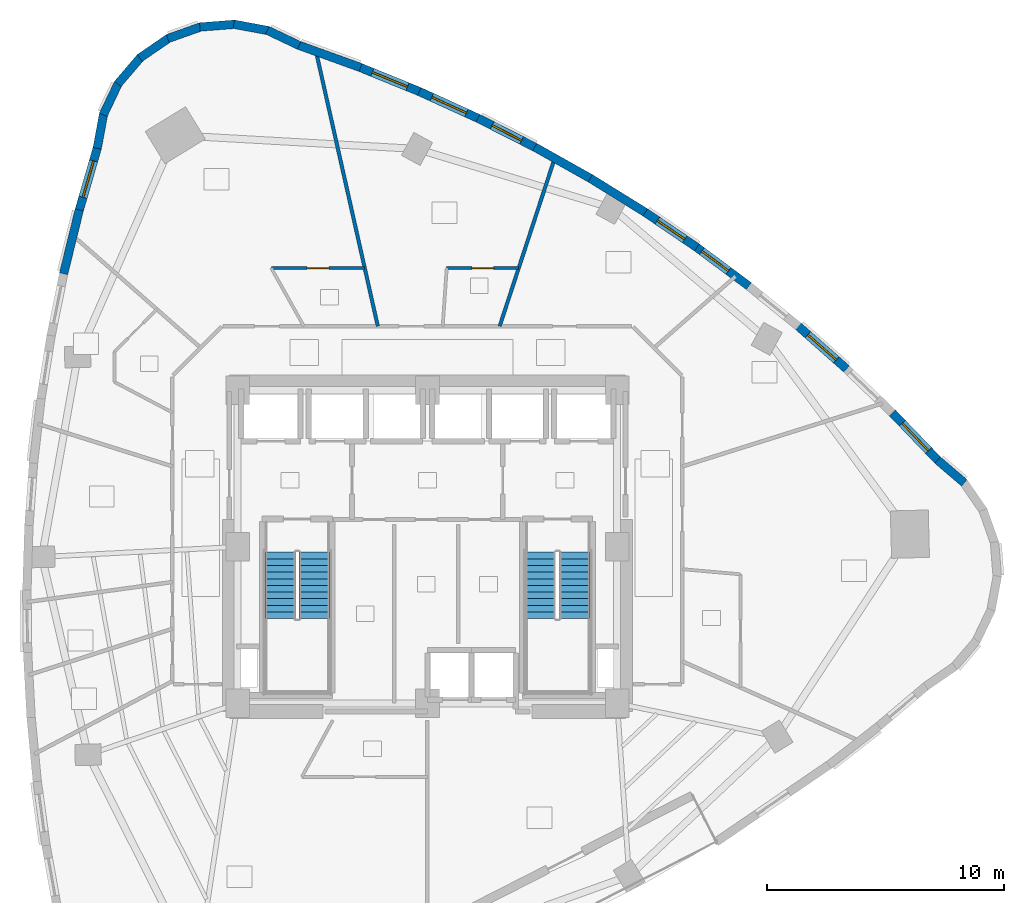
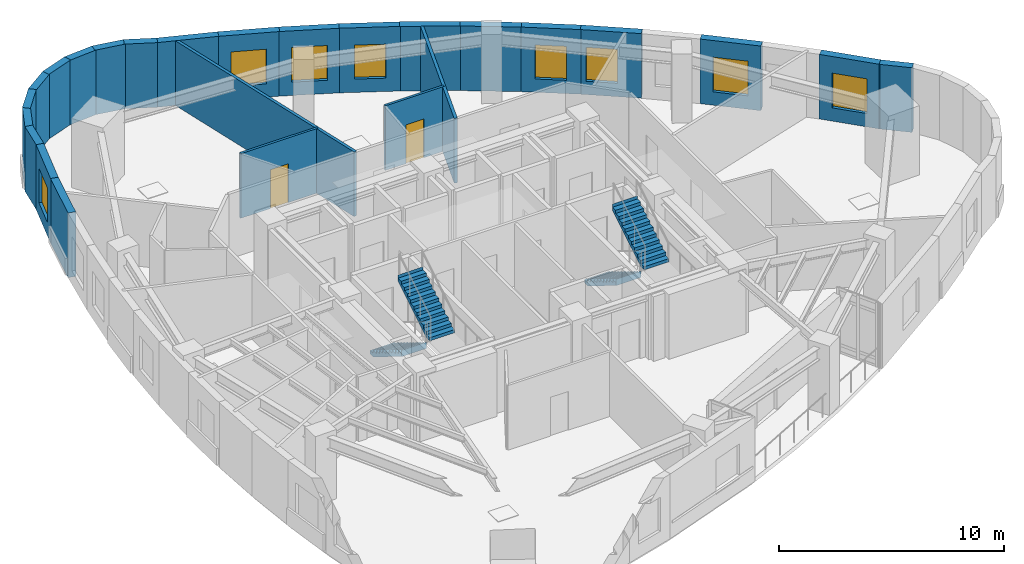
# One storey, part 8 of 11: 25 walls, 8 windows, 4 stair flights, 2 doors, 10 openings, 2 elements without a shape of their own.
"""IFC4 building model written with IfcOpenShell, lengths in metres."""

import ifcopenshell
import ifcopenshell.guid

model = None  # the IFC model being written
_history = None  # IfcOwnerHistory: only IFC2X3 demands one
_inside = {}  # id of a spatial element -> (the spatial element, [elements in it])
_under = {}  # id of a project, library or spatial element -> (it, [spatial elements below it])
_declared = {}  # id of a project -> (the project, [libraries it declares])
_typed = {}  # id of a type object -> (the type object, [elements of that type])
_made_of = {}  # id of a material, layer set ... -> (it, [elements and type objects made of it])


def new_model(schema):
    """Start an empty IFC model of exactly this schema.

    Asked for "IFC4X3", IfcOpenShell would pick the latest addendum, in which some entities
    have other attributes; the version numbers below select the first issue.
    IFC2X3 requires an IfcOwnerHistory on every rooted entity: one is made here for all.
    """
    global model, _history
    if schema == "IFC4X3":
        model = ifcopenshell.file(schema_version=(4, 3, 0, 0))
    else:
        model = ifcopenshell.file(schema=schema)
    _inside.clear()
    _under.clear()
    _declared.clear()
    _typed.clear()
    _made_of.clear()
    _history = None
    if model.schema == "IFC2X3":
        org = make("IfcOrganization", Name="unknown")
        user = make(
            "IfcPersonAndOrganization",
            ThePerson=make("IfcPerson", FamilyName="unknown"),
            TheOrganization=org,
        )
        app = make(
            "IfcApplication",
            ApplicationDeveloper=org,
            Version="unknown",
            ApplicationFullName="unknown",
            ApplicationIdentifier="unknown",
        )
        _history = make(
            "IfcOwnerHistory",
            OwningUser=user,
            OwningApplication=app,
            ChangeAction="ADDED",
            CreationDate=0,
        )
    return model


def make(cls, **values):
    """One entity of the class cls with the attributes given. An attribute that is None is left unset."""
    return model.create_entity(
        cls, **{name: value for name, value in values.items() if value is not None}
    )


def rooted(cls, **values):
    """An entity with a GlobalId (a new one), such as an element, a storey or a relation."""
    return make(cls, GlobalId=ifcopenshell.guid.new(), OwnerHistory=_history, **values)


def si_unit(unit_type, name, prefix=None):
    """IfcSIUnit, for example si_unit("LENGTHUNIT", "METRE", prefix="MILLI")."""
    return make("IfcSIUnit", UnitType=unit_type, Prefix=prefix, Name=name)


def assignment(units):
    """IfcUnitAssignment: the units of a project."""
    return None if units is None else make("IfcUnitAssignment", Units=units)


def point(xyz):
    """IfcCartesianPoint."""
    return None if xyz is None else make("IfcCartesianPoint", Coordinates=xyz)


def direction(xyz):
    """IfcDirection."""
    return None if xyz is None else make("IfcDirection", DirectionRatios=xyz)


def frame(location, z_axis=None, x_axis=None):
    """IfcAxis2Placement3D, a coordinate frame: its origin and axes. An axis left out is left unset."""
    return make(
        "IfcAxis2Placement3D",
        Location=point(location),
        Axis=direction(z_axis),
        RefDirection=direction(x_axis),
    )


def frame_2d(location, x_axis=None):
    """IfcAxis2Placement2D, a coordinate frame in the plane: its origin and x axis."""
    return make(
        "IfcAxis2Placement2D", Location=point(location), RefDirection=direction(x_axis)
    )


def origin():
    """The frame at (0, 0, 0) with its axes left unset."""
    return frame((0.0, 0.0, 0.0))


def place(relative_to, where):
    """IfcLocalPlacement: puts the frame where relative to a parent placement (None: the world)."""
    return make(
        "IfcLocalPlacement", PlacementRelTo=relative_to, RelativePlacement=where
    )


def context(
    kind, dimensions, precision=None, world=None, true_north=None, identifier=None
):
    """IfcGeometricRepresentationContext, for example the 3D "Model" context."""
    return make(
        "IfcGeometricRepresentationContext",
        ContextIdentifier=identifier,
        ContextType=kind,
        CoordinateSpaceDimension=dimensions,
        Precision=precision,
        WorldCoordinateSystem=world,
        TrueNorth=true_north,
    )


def subcontext(parent, identifier, kind, view, scale=None):
    """IfcGeometricRepresentationSubContext, for example "Body" below "Model"."""
    return make(
        "IfcGeometricRepresentationSubContext",
        ContextIdentifier=identifier,
        ContextType=kind,
        ParentContext=parent,
        TargetScale=scale,
        TargetView=view,
    )


def project(units=None, contexts=None):
    """IfcProject with its units and contexts."""
    return rooted(
        "IfcProject",
        Name="project",
        RepresentationContexts=contexts,
        UnitsInContext=assignment(units),
    )


def spatial(cls, under=None, at=None, **own):
    """A site, building, storey or space (cls), placed at a placement, below another one or the project."""
    s = rooted(cls, ObjectPlacement=at, **own)
    if under is not None:
        _under.setdefault(under.id(), (under, []))[1].append(s)
    return s


def polyline(points):
    """IfcPolyline through the points."""
    return make("IfcPolyline", Points=[point(p) for p in points])


def profile(cls, at=None, kind="AREA", **sizes):
    """A parametric profile (cls). Its sizes go by their IFC names, for example OverallWidth=200.0."""
    return make(cls, ProfileType=kind, Position=at, **sizes)


def rectangle(**sizes):
    """IfcRectangleProfileDef."""
    return profile("IfcRectangleProfileDef", **sizes)


def outline(outer, holes=None, kind="AREA"):
    """IfcArbitraryClosedProfileDef: a profile drawn as a closed curve; with holes, ...WithVoids."""
    if holes is None:
        return make("IfcArbitraryClosedProfileDef", ProfileType=kind, OuterCurve=outer)
    return make(
        "IfcArbitraryProfileDefWithVoids",
        ProfileType=kind,
        OuterCurve=outer,
        InnerCurves=holes,
    )


def extrude(swept, where, along, depth):
    """IfcExtrudedAreaSolid: the profile swept, set in the frame where, extruded along a direction by depth."""
    return make(
        "IfcExtrudedAreaSolid",
        SweptArea=swept,
        Position=where,
        ExtrudedDirection=direction(along),
        Depth=depth,
    )


def shape(context_of_items, identifier, shape_type, items):
    """IfcShapeRepresentation: the items that make up one representation, for example the "Body"."""
    return make(
        "IfcShapeRepresentation",
        ContextOfItems=context_of_items,
        RepresentationIdentifier=identifier,
        RepresentationType=shape_type,
        Items=items,
    )


def material(Name=None, Category=None):
    """IfcMaterial."""
    return make("IfcMaterial", Name=Name, Category=Category)


def layer(
    of_material, thickness, ventilated=None, Name=None, Category=None, Priority=None
):
    """IfcMaterialLayer: one layer of a wall or slab, of a material (None: an air gap)."""
    return make(
        "IfcMaterialLayer",
        Material=of_material,
        LayerThickness=thickness,
        IsVentilated=ventilated,
        Name=Name,
        Category=Category,
        Priority=Priority,
    )


def layer_set(layers, Name=None):
    """IfcMaterialLayerSet."""
    return make("IfcMaterialLayerSet", MaterialLayers=layers, LayerSetName=Name)


def made_of(thing, what):
    """Note that an element or type object is made of a material, layer set ...; save() writes the relation."""
    if what is not None:
        _made_of.setdefault(what.id(), (what, []))[1].append(thing)
    return thing


def type_object(cls, material=None, **own):
    """A type object (cls), such as IfcWallType, which elements share."""
    return made_of(rooted(cls, **own), material)


def element(
    cls,
    number,
    at=None,
    inside=None,
    cuts=None,
    type_object=None,
    material=None,
    context=None,
    identifier="Body",
    shape_type=None,
    held_by="IfcProductDefinitionShape",
    body=None,
    shapes=None,
    **own,
):
    """One element of the class cls, such as IfcWall. Its Tag is "e" and its number.

    at: its placement. inside: the storey or other place that contains it. cuts: it is an
    opening in that element (IfcRelVoidsElement). A single representation is given by context,
    identifier, shape_type and body (its items); several are given by shapes. held_by: the class
    of the entity that holds the representations. save() writes the other relations.
    """
    e = rooted(cls, Tag="e%d" % number, ObjectPlacement=at, **own)
    if body is not None:
        shapes = [shape(context, identifier, shape_type, body)]
    if shapes is not None:
        e.Representation = make(held_by, Representations=shapes)
    if inside is not None:
        _inside.setdefault(inside.id(), (inside, []))[1].append(e)
    if cuts is not None:
        rooted(
            "IfcRelVoidsElement", RelatingBuildingElement=cuts, RelatedOpeningElement=e
        )
    if type_object is not None:
        _typed.setdefault(type_object.id(), (type_object, []))[1].append(e)
    return made_of(e, material)


def fill(opening, filler):
    """IfcRelFillsElement: the door or window that sits in an opening."""
    return rooted(
        "IfcRelFillsElement",
        RelatingOpeningElement=opening,
        RelatedBuildingElement=filler,
    )


def aggregate(whole, parts):
    """IfcRelAggregates: a whole, such as a stair, and the parts it consists of."""
    return rooted("IfcRelAggregates", RelatingObject=whole, RelatedObjects=parts)


def save(model, path):
    """Write the relations noted so far, then the file.

    IfcRelAggregates (storeys below a building ...), IfcRelContainedInSpatialStructure (elements
    in a storey), IfcRelDefinesByType, IfcRelAssociatesMaterial and IfcRelDeclares: one each for
    every whole, place, type object, material and project.
    """
    for whole, parts in _under.values():
        aggregate(whole, parts)
    for where, things in _inside.values():
        rooted(
            "IfcRelContainedInSpatialStructure",
            RelatedElements=things,
            RelatingStructure=where,
        )
    for kind, things in _typed.values():
        rooted("IfcRelDefinesByType", RelatedObjects=things, RelatingType=kind)
    for what, things in _made_of.values():
        rooted("IfcRelAssociatesMaterial", RelatedObjects=things, RelatingMaterial=what)
    for by, libraries in _declared.values():
        rooted("IfcRelDeclares", RelatingContext=by, RelatedDefinitions=libraries)
    model.write(path)


model = new_model("IFC4")

# Units and contexts
model_context = context("Model", 3, precision=1e-05, world=origin(), true_north=direction((0.0, 1.0)))
body_context = subcontext(model_context, "Body", "Model", "MODEL_VIEW")
ifc_project = project(units=[si_unit("LENGTHUNIT", "METRE"), si_unit("AREAUNIT", "SQUARE_METRE"), si_unit("VOLUMEUNIT", "CUBIC_METRE"), si_unit("PLANEANGLEUNIT", "RADIAN"), si_unit("MASSUNIT", "GRAM", prefix="KILO")], contexts=[model_context])

# Site, building, storey
site_placement = place(None, origin())
site = spatial("IfcSite", under=ifc_project, at=site_placement, CompositionType="ELEMENT")
building_placement = place(site_placement, origin())
building = spatial("IfcBuilding", under=site, at=building_placement, Name="Ndelora Gate Hotel", CompositionType="ELEMENT")
storey_placement = place(building_placement, frame((0.0, 0.0, 108.5)))
storey = spatial("IfcBuildingStorey", under=building, at=storey_placement, Name="L26", CompositionType="ELEMENT", Elevation=108.5)

# Walls
ifc_material_1 = material(Name="Clay Brick Masonry", Category="masonry")
ifc_layer_1 = layer(ifc_material_1, 0.360107421875)
ifc_layer_set_1 = layer_set([ifc_layer_1], Name="Clay Brick Masonry")
wall_type_1 = type_object("IfcWallType", Name="WL-BRICK-360", PredefinedType="SOLIDWALL", material=ifc_layer_set_1)
wall_1_placement = place(storey_placement, frame((-6.749267578125, 21.779052734375, 0.0), z_axis=(0.0, 0.0, 1.0), x_axis=(0.902586982789, -0.430507535938, 0.0)))
element("IfcWall", 1, at=wall_1_placement, inside=storey, type_object=wall_type_1, Name="L26 Tower Brick Pier-and-Spandrel Wall TWR-1", PredefinedType="SOLIDWALL", context=body_context, shape_type="SweptSolid", body=[
    extrude(rectangle(XDim=1.48583984375, YDim=0.360107421875, at=frame_2d((0.742919921875, 0.0))), origin(), (0.0, 0.0, 1.0), 3.5),
])
wall_2_placement = place(storey_placement, frame((-8.1630859375, 22.034423828125, 0.0), z_axis=(0.0, 0.0, 1.0), x_axis=(0.983262389335, -0.182195152844, 0.0)))
element("IfcWall", 2, at=wall_2_placement, inside=storey, type_object=wall_type_1, Name="L26 Tower Brick Pier-and-Spandrel Wall TWR-2", PredefinedType="SOLIDWALL", context=body_context, shape_type="SweptSolid", body=[
    extrude(rectangle(XDim=1.486083984375, YDim=0.360107421875, at=frame_2d((0.7431640625, 0.0))), origin(), (0.0, 0.0, 1.0), 3.5),
])
wall_3_placement = place(storey_placement, frame((-9.594482421875, 21.915283203125, 0.0), z_axis=(0.0, 0.0, 1.0), x_axis=(0.996922531952, 0.078393018091, 0.0)))
element("IfcWall", 3, at=wall_3_placement, inside=storey, type_object=wall_type_1, Name="L26 Tower Brick Pier-and-Spandrel Wall TWR-3", PredefinedType="SOLIDWALL", context=body_context, shape_type="SweptSolid", body=[
    extrude(rectangle(XDim=1.485595703125, YDim=0.360107421875, at=frame_2d((0.74267578125, 0.0))), origin(), (0.0, 0.0, 1.0), 3.5),
])
wall_4_placement = place(storey_placement, frame((-10.94677734375, 21.4296875, 0.0), z_axis=(0.0, 0.0, 1.0), x_axis=(0.942671384708, 0.33372243025, 0.0)))
element("IfcWall", 4, at=wall_4_placement, inside=storey, type_object=wall_type_1, Name="L26 Tower Brick Pier-and-Spandrel Wall TWR-4", PredefinedType="SOLIDWALL", context=body_context, shape_type="SweptSolid", body=[
    extrude(rectangle(XDim=1.48583984375, YDim=0.360107421875, at=frame_2d((0.742919921875, 0.0))), origin(), (0.0, 0.0, 1.0), 3.5),
])
wall_5_placement = place(storey_placement, frame((-12.126953125, 20.610595703125, 0.0), z_axis=(0.0, 0.0, 1.0), x_axis=(0.824104250472, 0.566438155808, 0.0)))
element("IfcWall", 5, at=wall_5_placement, inside=storey, type_object=wall_type_1, Name="L26 Tower Brick Pier-and-Spandrel Wall TWR-5", PredefinedType="SOLIDWALL", context=body_context, shape_type="SweptSolid", body=[
    extrude(rectangle(XDim=1.485595703125, YDim=0.360107421875, at=frame_2d((0.74267578125, 0.0))), origin(), (0.0, 0.0, 1.0), 3.5),
])
for number, where, z_axis, x_axis, name in (
    (6, (-13.05517578125, 19.513916015625, 0.0), (0.0, 0.0, 1.0), (0.649477934003, 0.760380439809, 0.0), "L26 Tower Brick Pier-and-Spandrel Wall TWR-6"),
    (7, (-13.667724609375, 18.21435546875, 0.0), (0.0, 0.0, 1.0), (0.430507535938, 0.902586982789, 0.0), "L26 Tower Brick Pier-and-Spandrel Wall TWR-7"),
):
    element("IfcWall", number, at=place(storey_placement, frame(where, z_axis=z_axis, x_axis=x_axis)), inside=storey, type_object=wall_type_1, Name=name, PredefinedType="SOLIDWALL", context=body_context, shape_type="SweptSolid", body=[
        extrude(rectangle(XDim=1.48583984375, YDim=0.360107421875, at=frame_2d((0.742919921875, 0.0))), origin(), (0.0, 0.0, 1.0), 3.5),
    ])
wall_6_placement = place(storey_placement, frame((-13.92333984375, 16.800537109375, 0.0), z_axis=(0.0, 0.0, 1.0), x_axis=(0.18235397995, 0.983232945947, 0.0)))
element("IfcWall", 8, at=wall_6_placement, inside=storey, type_object=wall_type_1, Name="L26 Tower Brick Pier-and-Spandrel Wall TWR-8", PredefinedType="SOLIDWALL", context=body_context, shape_type="SweptSolid", body=[
    extrude(rectangle(XDim=1.486083984375, YDim=0.360107421875, at=frame_2d((0.7431640625, 0.0))), origin(), (0.0, 0.0, 1.0), 3.5),
])

# Wall, opening, window
wall_7_placement = place(storey_placement, frame((-14.69140625, 14.15869140625, 0.0), z_axis=(0.0, 0.0, 1.0), x_axis=(0.278379734644, 0.960471094484, 0.0)))
wall_7 = element("IfcWall", 9, at=wall_7_placement, inside=storey, type_object=wall_type_1, Name="L26 Tower Brick Pier-and-Spandrel Wall TWR-9", PredefinedType="SOLIDWALL", context=body_context, shape_type="SweptSolid", body=[
    extrude(rectangle(XDim=2.80126953125, YDim=0.360107421875, at=frame_2d((1.400634765625, 0.0))), origin(), (0.0, 0.0, 1.0), 3.5),
])
opening_1_placement = place(wall_7_placement, frame((0.6005859375, 0.0, 0.719970703125)))
opening_1 = element("IfcOpeningElement", 10, at=opening_1_placement, cuts=wall_7, Name="Opening W03", PredefinedType="OPENING", context=body_context, shape_type="SweptSolid", body=[
    extrude(rectangle(XDim=1.60009765625, YDim=1.8798828125, at=frame_2d((0.800048828125, 0.93994140625))), frame((0.0, 0.18994140625, 0.0), z_axis=(0.0, -1.0, 0.0), x_axis=(1.0, 0.0, 0.0)), (0.0, 0.0, 1.0), 0.380126953125),
])
ifc_material_2 = material(Name="Insulated Low-E Double Glazing in Bronze Aluminium Frame", Category="aluminium")
window_type_1 = type_object("IfcWindowType", Name="WN-CORN-2100", PartitioningType="SINGLE_PANEL", PredefinedType="WINDOW", material=ifc_material_2)
window_1_placement = place(opening_1_placement, origin())
window_1 = element("IfcWindow", 11, at=window_1_placement, inside=storey, type_object=window_type_1, Name="L26 Deep-Set Brick-Pier Window W03", OverallHeight=1.8798828125, OverallWidth=1.60009765625, PartitioningType="SINGLE_PANEL", PredefinedType="WINDOW", context=body_context, shape_type="SweptSolid", body=[
    extrude(rectangle(XDim=1.60009765625, YDim=1.8798828125, at=frame_2d((0.800048828125, 0.93994140625))), frame((0.0, 0.030029296875, 0.0), z_axis=(0.0, -1.0, 0.0), x_axis=(1.0, 0.0, 0.0)), (0.0, 0.0, 1.0), 0.06005859375),
])
fill(opening_1, window_1)

# Walls
wall_8_placement = place(storey_placement, frame((-15.34228515625, 11.510009765625, 0.0), z_axis=(0.0, 0.0, 1.0), x_axis=(0.238997371457, 0.971020214227, 0.0)))
element("IfcWall", 12, at=wall_8_placement, inside=storey, type_object=wall_type_1, Name="L26 Tower Brick Pier-and-Spandrel Wall TWR-10", PredefinedType="SOLIDWALL", context=body_context, shape_type="SweptSolid", body=[
    extrude(rectangle(XDim=2.777587890625, YDim=0.360107421875, at=frame_2d((1.388671875, 0.0))), origin(), (0.0, 0.0, 1.0), 3.5),
])
wall_9_placement = place(storey_placement, frame((21.511474609375, 3.657470703125, 0.0), z_axis=(0.0, 0.0, 1.0), x_axis=(0.760392276745, -0.649464075578, 0.0)))
element("IfcWall", 13, at=wall_9_placement, inside=storey, type_object=wall_type_1, Name="L26 Tower Brick Pier-and-Spandrel Wall TWR-46", PredefinedType="SOLIDWALL", context=body_context, shape_type="SweptSolid", body=[
    extrude(rectangle(XDim=1.485595703125, YDim=0.360107421875, at=frame_2d((0.74267578125, 0.0))), origin(), (0.0, 0.0, 1.0), 3.5),
])

# Wall, opening, window
wall_10_placement = place(storey_placement, frame((19.607421875, 5.643798828125, 0.0), z_axis=(0.0, 0.0, 1.0), x_axis=(0.692624348053, -0.72129849056, 0.0)))
wall_10 = element("IfcWall", 14, at=wall_10_placement, inside=storey, type_object=wall_type_1, Name="L26 Tower Brick Pier-and-Spandrel Wall TWR-47", PredefinedType="SOLIDWALL", context=body_context, shape_type="SweptSolid", body=[
    extrude(rectangle(XDim=2.80126953125, YDim=0.360107421875, at=frame_2d((1.400634765625, 0.0))), origin(), (0.0, 0.0, 1.0), 3.5),
])
opening_2_placement = place(wall_10_placement, frame((0.6005859375, 0.0, 0.719970703125)))
opening_2 = element("IfcOpeningElement", 15, at=opening_2_placement, cuts=wall_10, Name="Opening W01", PredefinedType="OPENING", context=body_context, shape_type="SweptSolid", body=[
    extrude(rectangle(XDim=1.60009765625, YDim=1.8798828125, at=frame_2d((0.800048828125, 0.93994140625))), frame((0.0, 0.18994140625, 0.0), z_axis=(0.0, -1.0, 0.0), x_axis=(1.0, 0.0, 0.0)), (0.0, 0.0, 1.0), 0.380126953125),
])
window_type_2 = type_object("IfcWindowType", Name="WN-DEEP-1600", PartitioningType="SINGLE_PANEL", PredefinedType="WINDOW", material=ifc_material_2)
window_2_placement = place(opening_2_placement, origin())
window_2 = element("IfcWindow", 16, at=window_2_placement, inside=storey, type_object=window_type_2, Name="L26 Deep-Set Brick-Pier Window W01", OverallHeight=1.8798828125, OverallWidth=1.60009765625, PartitioningType="SINGLE_PANEL", PredefinedType="WINDOW", context=body_context, shape_type="SweptSolid", body=[
    extrude(rectangle(XDim=1.60009765625, YDim=1.8798828125, at=frame_2d((0.800048828125, 0.93994140625))), frame((0.0, 0.030029296875, 0.0), z_axis=(0.0, -1.0, 0.0), x_axis=(1.0, 0.0, 0.0)), (0.0, 0.0, 1.0), 0.06005859375),
])
fill(opening_2, window_2)

wall_11_placement = place(storey_placement, frame((15.60888671875, 9.32470703125, 0.0), z_axis=(0.0, 0.0, 1.0), x_axis=(0.749310700852, -0.662218599549, 0.0)))
wall_11 = element("IfcWall", 17, at=wall_11_placement, inside=storey, type_object=wall_type_1, Name="L26 Tower Brick Pier-and-Spandrel Wall TWR-49", PredefinedType="SOLIDWALL", context=body_context, shape_type="SweptSolid", body=[
    extrude(rectangle(XDim=2.75830078125, YDim=0.360107421875, at=frame_2d((1.379150390625, 0.0))), origin(), (0.0, 0.0, 1.0), 3.5),
])
opening_3_placement = place(wall_11_placement, frame((0.5791015625, 0.0, 0.719970703125)))
opening_3 = element("IfcOpeningElement", 18, at=opening_3_placement, cuts=wall_11, Name="Opening W03", PredefinedType="OPENING", context=body_context, shape_type="SweptSolid", body=[
    extrude(rectangle(XDim=1.60009765625, YDim=1.8798828125, at=frame_2d((0.800048828125, 0.93994140625))), frame((0.0, 0.18994140625, 0.0), z_axis=(0.0, -1.0, 0.0), x_axis=(1.0, 0.0, 0.0)), (0.0, 0.0, 1.0), 0.380126953125),
])
window_3_placement = place(opening_3_placement, origin())
window_3 = element("IfcWindow", 19, at=window_3_placement, inside=storey, type_object=window_type_1, Name="L26 Deep-Set Brick-Pier Window W03", OverallHeight=1.8798828125, OverallWidth=1.60009765625, PartitioningType="SINGLE_PANEL", PredefinedType="WINDOW", context=body_context, shape_type="SweptSolid", body=[
    extrude(rectangle(XDim=1.60009765625, YDim=1.8798828125, at=frame_2d((0.800048828125, 0.93994140625))), frame((0.0, 0.030029296875, 0.0), z_axis=(0.0, -1.0, 0.0), x_axis=(1.0, 0.0, 0.0)), (0.0, 0.0, 1.0), 0.06005859375),
])
fill(opening_3, window_3)

wall_12_placement = place(storey_placement, frame((11.362060546875, 12.623046875, 0.0), z_axis=(0.0, 0.0, 1.0), x_axis=(0.802329676415, -0.596881135859, 0.0)))
wall_12 = element("IfcWall", 20, at=wall_12_placement, inside=storey, type_object=wall_type_1, Name="L26 Tower Brick Pier-and-Spandrel Wall TWR-51", PredefinedType="SOLIDWALL", context=body_context, shape_type="SweptSolid", body=[
    extrude(rectangle(XDim=2.734375, YDim=0.360107421875, at=frame_2d((1.3671875, 0.0))), origin(), (0.0, 0.0, 1.0), 3.5),
])
opening_4_placement = place(wall_12_placement, frame((0.260009765625, 0.0, 0.719970703125)))
opening_4 = element("IfcOpeningElement", 21, at=opening_4_placement, cuts=wall_12, Name="Opening W02", PredefinedType="OPENING", context=body_context, shape_type="SweptSolid", body=[
    extrude(rectangle(XDim=1.39990234375, YDim=1.840087890625, at=frame_2d((0.699951171875, 0.919921875))), frame((0.0, 0.18994140625, 0.0), z_axis=(0.0, -1.0, 0.0), x_axis=(1.0, 0.0, 0.0)), (0.0, 0.0, 1.0), 0.380126953125),
])
window_type_3 = type_object("IfcWindowType", Name="WN-DEEP-1400", PartitioningType="SINGLE_PANEL", PredefinedType="WINDOW", material=ifc_material_2)
window_4_placement = place(opening_4_placement, origin())
window_4 = element("IfcWindow", 22, at=window_4_placement, inside=storey, type_object=window_type_3, Name="L26 Deep-Set Brick-Pier Window W02", OverallHeight=1.840087890625, OverallWidth=1.39990234375, PartitioningType="SINGLE_PANEL", PredefinedType="WINDOW", context=body_context, shape_type="SweptSolid", body=[
    extrude(rectangle(XDim=1.39990234375, YDim=1.840087890625, at=frame_2d((0.699951171875, 0.919921875))), frame((0.0, 0.030029296875, 0.0), z_axis=(0.0, -1.0, 0.0), x_axis=(1.0, 0.0, 0.0)), (0.0, 0.0, 1.0), 0.06005859375),
])
fill(opening_4, window_4)

wall_13_placement = place(storey_placement, frame((9.145751953125, 14.129150390625, 0.0), z_axis=(0.0, 0.0, 1.0), x_axis=(0.826868273885, -0.562395641557, 0.0)))
wall_13 = element("IfcWall", 23, at=wall_13_placement, inside=storey, type_object=wall_type_1, Name="L26 Tower Brick Pier-and-Spandrel Wall TWR-52", PredefinedType="SOLIDWALL", context=body_context, shape_type="SweptSolid", body=[
    extrude(rectangle(XDim=2.729736328125, YDim=0.360107421875, at=frame_2d((1.36474609375, 0.0))), origin(), (0.0, 0.0, 1.0), 3.5),
])
opening_5_placement = place(wall_13_placement, frame((0.664794921875, 0.0, 0.719970703125)))
opening_5 = element("IfcOpeningElement", 24, at=opening_5_placement, cuts=wall_13, Name="Opening W02", PredefinedType="OPENING", context=body_context, shape_type="SweptSolid", body=[
    extrude(rectangle(XDim=1.39990234375, YDim=1.840087890625, at=frame_2d((0.699951171875, 0.919921875))), frame((0.0, 0.18994140625, 0.0), z_axis=(0.0, -1.0, 0.0), x_axis=(1.0, 0.0, 0.0)), (0.0, 0.0, 1.0), 0.380126953125),
])
window_5_placement = place(opening_5_placement, origin())
window_5 = element("IfcWindow", 25, at=window_5_placement, inside=storey, type_object=window_type_3, Name="L26 Deep-Set Brick-Pier Window W02", OverallHeight=1.840087890625, OverallWidth=1.39990234375, PartitioningType="SINGLE_PANEL", PredefinedType="WINDOW", context=body_context, shape_type="SweptSolid", body=[
    extrude(rectangle(XDim=1.39990234375, YDim=1.840087890625, at=frame_2d((0.699951171875, 0.919921875))), frame((0.0, 0.030029296875, 0.0), z_axis=(0.0, -1.0, 0.0), x_axis=(1.0, 0.0, 0.0)), (0.0, 0.0, 1.0), 0.06005859375),
])
fill(opening_5, window_5)

# Walls
wall_14_placement = place(storey_placement, frame((6.8671875, 15.53955078125, 0.0), z_axis=(0.0, 0.0, 1.0), x_axis=(0.850066866235, -0.526674779091, 0.0)))
element("IfcWall", 26, at=wall_14_placement, inside=storey, type_object=wall_type_1, Name="L26 Tower Brick Pier-and-Spandrel Wall TWR-53", PredefinedType="SOLIDWALL", context=body_context, shape_type="SweptSolid", body=[
    extrude(rectangle(XDim=2.729736328125, YDim=0.360107421875, at=frame_2d((1.36474609375, 0.0))), origin(), (0.0, 0.0, 1.0), 3.5),
])
wall_15_placement = place(storey_placement, frame((4.527099609375, 16.8544921875, 0.0), z_axis=(0.0, 0.0, 1.0), x_axis=(0.871580305906, -0.490252761702, 0.0)))
element("IfcWall", 27, at=wall_15_placement, inside=storey, type_object=wall_type_1, Name="L26 Tower Brick Pier-and-Spandrel Wall TWR-54", PredefinedType="SOLIDWALL", context=body_context, shape_type="SweptSolid", body=[
    extrude(rectangle(XDim=2.734375, YDim=0.360107421875, at=frame_2d((1.3671875, 0.0))), origin(), (0.0, 0.0, 1.0), 3.5),
])

# Wall, opening, window
wall_16_placement = place(storey_placement, frame((2.124755859375, 18.073486328125, 0.0), z_axis=(0.0, 0.0, 1.0), x_axis=(0.891561759687, -0.452899137406, 0.0)))
wall_16 = element("IfcWall", 28, at=wall_16_placement, inside=storey, type_object=wall_type_1, Name="L26 Tower Brick Pier-and-Spandrel Wall TWR-55", PredefinedType="SOLIDWALL", context=body_context, shape_type="SweptSolid", body=[
    extrude(rectangle(XDim=2.743896484375, YDim=0.360107421875, at=frame_2d((1.3720703125, 0.0))), origin(), (0.0, 0.0, 1.0), 3.5),
])
opening_6_placement = place(wall_16_placement, frame((0.672119140625, 0.0, 0.719970703125)))
opening_6 = element("IfcOpeningElement", 29, at=opening_6_placement, cuts=wall_16, Name="Opening W02", PredefinedType="OPENING", context=body_context, shape_type="SweptSolid", body=[
    extrude(rectangle(XDim=1.39990234375, YDim=1.840087890625, at=frame_2d((0.699951171875, 0.919921875))), frame((0.0, 0.18994140625, 0.0), z_axis=(0.0, -1.0, 0.0), x_axis=(1.0, 0.0, 0.0)), (0.0, 0.0, 1.0), 0.380126953125),
])
window_6_placement = place(opening_6_placement, origin())
window_6 = element("IfcWindow", 30, at=window_6_placement, inside=storey, type_object=window_type_3, Name="L26 Deep-Set Brick-Pier Window W02", OverallHeight=1.840087890625, OverallWidth=1.39990234375, PartitioningType="SINGLE_PANEL", PredefinedType="WINDOW", context=body_context, shape_type="SweptSolid", body=[
    extrude(rectangle(XDim=1.39990234375, YDim=1.840087890625, at=frame_2d((0.699951171875, 0.919921875))), frame((0.0, 0.030029296875, 0.0), z_axis=(0.0, -1.0, 0.0), x_axis=(1.0, 0.0, 0.0)), (0.0, 0.0, 1.0), 0.06005859375),
])
fill(opening_6, window_6)

wall_17_placement = place(storey_placement, frame((-0.339599609375, 19.197509765625, 0.0), z_axis=(0.0, 0.0, 1.0), x_axis=(0.909692365211, -0.415282796028, 0.0)))
wall_17 = element("IfcWall", 31, at=wall_17_placement, inside=storey, type_object=wall_type_1, Name="L26 Tower Brick Pier-and-Spandrel Wall TWR-56", PredefinedType="SOLIDWALL", context=body_context, shape_type="SweptSolid", body=[
    extrude(rectangle(XDim=2.75830078125, YDim=0.360107421875, at=frame_2d((1.379150390625, 0.0))), origin(), (0.0, 0.0, 1.0), 3.5),
])
opening_7_placement = place(wall_17_placement, frame((0.579345703125, 0.0, 0.719970703125)))
opening_7 = element("IfcOpeningElement", 32, at=opening_7_placement, cuts=wall_17, Name="Opening W01", PredefinedType="OPENING", context=body_context, shape_type="SweptSolid", body=[
    extrude(rectangle(XDim=1.60009765625, YDim=1.8798828125, at=frame_2d((0.800048828125, 0.93994140625))), frame((0.0, 0.18994140625, 0.0), z_axis=(0.0, -1.0, 0.0), x_axis=(1.0, 0.0, 0.0)), (0.0, 0.0, 1.0), 0.380126953125),
])
window_7_placement = place(opening_7_placement, origin())
window_7 = element("IfcWindow", 33, at=window_7_placement, inside=storey, type_object=window_type_2, Name="L26 Deep-Set Brick-Pier Window W01", OverallHeight=1.8798828125, OverallWidth=1.60009765625, PartitioningType="SINGLE_PANEL", PredefinedType="WINDOW", context=body_context, shape_type="SweptSolid", body=[
    extrude(rectangle(XDim=1.60009765625, YDim=1.8798828125, at=frame_2d((0.800048828125, 0.93994140625))), frame((0.0, 0.030029296875, 0.0), z_axis=(0.0, -1.0, 0.0), x_axis=(1.0, 0.0, 0.0)), (0.0, 0.0, 1.0), 0.06005859375),
])
fill(opening_7, window_7)

wall_18_placement = place(storey_placement, frame((-2.865966796875, 20.2255859375, 0.0), z_axis=(0.0, 0.0, 1.0), x_axis=(0.926106009393, -0.377263381958, 0.0)))
wall_18 = element("IfcWall", 34, at=wall_18_placement, inside=storey, type_object=wall_type_1, Name="L26 Tower Brick Pier-and-Spandrel Wall TWR-57", PredefinedType="SOLIDWALL", context=body_context, shape_type="SweptSolid", body=[
    extrude(rectangle(XDim=2.777587890625, YDim=0.360107421875, at=frame_2d((1.388671875, 0.0))), origin(), (0.0, 0.0, 1.0), 3.5),
])
opening_8_placement = place(wall_18_placement, frame((0.5888671875, 0.0, 0.719970703125)))
opening_8 = element("IfcOpeningElement", 35, at=opening_8_placement, cuts=wall_18, Name="Opening W03", PredefinedType="OPENING", context=body_context, shape_type="SweptSolid", body=[
    extrude(rectangle(XDim=1.60009765625, YDim=1.8798828125, at=frame_2d((0.800048828125, 0.93994140625))), frame((0.0, 0.18994140625, 0.0), z_axis=(0.0, -1.0, 0.0), x_axis=(1.0, 0.0, 0.0)), (0.0, 0.0, 1.0), 0.380126953125),
])
window_8_placement = place(opening_8_placement, origin())
window_8 = element("IfcWindow", 36, at=window_8_placement, inside=storey, type_object=window_type_1, Name="L26 Deep-Set Brick-Pier Window W03", OverallHeight=1.8798828125, OverallWidth=1.60009765625, PartitioningType="SINGLE_PANEL", PredefinedType="WINDOW", context=body_context, shape_type="SweptSolid", body=[
    extrude(rectangle(XDim=1.60009765625, YDim=1.8798828125, at=frame_2d((0.800048828125, 0.93994140625))), frame((0.0, 0.030029296875, 0.0), z_axis=(0.0, -1.0, 0.0), x_axis=(1.0, 0.0, 0.0)), (0.0, 0.0, 1.0), 0.06005859375),
])
fill(opening_8, window_8)

# Walls
wall_19_placement = place(storey_placement, frame((-5.4541015625, 21.15869140625, 0.0), z_axis=(0.0, 0.0, 1.0), x_axis=(0.94061266542, -0.339481683822, 0.0)))
element("IfcWall", 37, at=wall_19_placement, inside=storey, type_object=wall_type_1, Name="L26 Tower Brick Pier-and-Spandrel Wall TWR-58", PredefinedType="SOLIDWALL", context=body_context, shape_type="SweptSolid", body=[
    extrude(rectangle(XDim=2.801025390625, YDim=0.360107421875, at=frame_2d((1.400390625, 0.0))), origin(), (0.0, 0.0, 1.0), 3.5),
])
ifc_material_3 = material(Name="Fire-Rated Gypsum Stud Partition", Category="gypsum")
ifc_layer_2 = layer(ifc_material_3, 0.14990234375)
ifc_layer_set_2 = layer_set([ifc_layer_2], Name="Fire-Rated Gypsum Stud Partition")
wall_type_2 = type_object("IfcWallType", Name="WL-PART-150", PredefinedType="PARTITIONING", material=ifc_layer_set_2)
wall_20_placement = place(storey_placement, frame((3.04638671875, 9.300048828125, 0.0), z_axis=(0.0, 0.0, 1.0), x_axis=(0.31130966002, 0.950308526521, 0.0)))
element("IfcWall", 38, at=wall_20_placement, inside=storey, type_object=wall_type_2, Name="L26 Interior Wall IW-5", PredefinedType="PARTITIONING", context=body_context, shape_type="SweptSolid", body=[
    extrude(rectangle(XDim=7.45263671875, YDim=0.14990234375, at=frame_2d((3.726318359375, 0.0))), origin(), (0.0, 0.0, 1.0), 3.5),
])
wall_21_placement = place(storey_placement, frame((-2.091552734375, 9.300048828125, 0.0), z_axis=(0.0, 0.0, 1.0), x_axis=(-0.219430983932, 0.975628025064, 0.0)))
element("IfcWall", 39, at=wall_21_placement, inside=storey, type_object=wall_type_2, Name="L26 Interior Wall IW-5", PredefinedType="PARTITIONING", context=body_context, shape_type="SweptSolid", body=[
    extrude(rectangle(XDim=11.874755859375, YDim=0.14990234375, at=frame_2d((5.9375, 0.0))), origin(), (0.0, 0.0, 1.0), 3.5),
])

# Wall, opening, door
ifc_material_4 = material(Name="Moisture-Resistant Bathroom Tile Partition", Category="gypsum")
ifc_layer_3 = layer(ifc_material_4, 0.1201171875)
ifc_layer_set_3 = layer_set([ifc_layer_3], Name="Moisture-Resistant Bathroom Tile Partition")
wall_type_3 = type_object("IfcWallType", Name="WL-WET-120", PredefinedType="PARTITIONING", material=ifc_layer_set_3)
wall_22_placement = place(storey_placement, frame((0.814208984375, 11.75, 0.0), z_axis=(0.0, 0.0, 1.0), x_axis=(1.0, 0.0, 0.0)))
wall_22 = element("IfcWall", 40, at=wall_22_placement, inside=storey, type_object=wall_type_3, Name="L26 Interior Wall IW-7", PredefinedType="PARTITIONING", context=body_context, shape_type="SweptSolid", body=[
    extrude(rectangle(XDim=3.034912109375, YDim=0.1201171875, at=frame_2d((1.517578125, 0.0))), origin(), (0.0, 0.0, 1.0), 3.5),
])
opening_9_placement = place(wall_22_placement, frame((1.057373046875, 0.0, 0.0)))
opening_9 = element("IfcOpeningElement", 41, at=opening_9_placement, cuts=wall_22, Name="Opening D03", PredefinedType="OPENING", context=body_context, shape_type="SweptSolid", body=[
    extrude(rectangle(XDim=0.919921875, YDim=2.10009765625, at=frame_2d((0.4599609375, 1.050048828125))), frame((0.0, 0.070068359375, 0.0), z_axis=(0.0, -1.0, 0.0), x_axis=(1.0, 0.0, 0.0)), (0.0, 0.0, 1.0), 0.14013671875),
])
ifc_material_5 = material(Name="Moisture-Resistant Hardwood En-Suite Door", Category="wood")
door_type = type_object("IfcDoorType", Name="DR-BATH-920", OperationType="SINGLE_SWING_LEFT", PredefinedType="DOOR", material=ifc_material_5)
door_1_placement = place(opening_9_placement, origin())
door_1 = element("IfcDoor", 42, at=door_1_placement, inside=storey, type_object=door_type, Name="L26 En-suite Bathroom 2903 Door", OperationType="SINGLE_SWING_RIGHT", OverallHeight=2.10009765625, OverallWidth=0.919921875, PredefinedType="DOOR", context=body_context, shape_type="SweptSolid", body=[
    extrude(rectangle(XDim=0.919921875, YDim=2.10009765625, at=frame_2d((0.4599609375, 1.050048828125))), frame((0.0, 0.02490234375, 0.0), z_axis=(0.0, -1.0, 0.0), x_axis=(1.0, 0.0, 0.0)), (0.0, 0.0, 1.0), 0.050048828125),
])
fill(opening_9, door_1)

wall_23_placement = place(storey_placement, frame((-6.58251953125, 11.75, 0.0), z_axis=(0.0, 0.0, 1.0), x_axis=(1.0, 0.0, 0.0)))
wall_23 = element("IfcWall", 43, at=wall_23_placement, inside=storey, type_object=wall_type_3, Name="L26 Interior Wall IW-7", PredefinedType="PARTITIONING", context=body_context, shape_type="SweptSolid", body=[
    extrude(rectangle(XDim=3.93994140625, YDim=0.1201171875, at=frame_2d((1.969970703125, 0.0))), origin(), (0.0, 0.0, 1.0), 3.5),
])
opening_10_placement = place(wall_23_placement, frame((1.510009765625, 0.0, 0.0)))
opening_10 = element("IfcOpeningElement", 44, at=opening_10_placement, cuts=wall_23, Name="Opening D03", PredefinedType="OPENING", context=body_context, shape_type="SweptSolid", body=[
    extrude(rectangle(XDim=0.919921875, YDim=2.10009765625, at=frame_2d((0.4599609375, 1.050048828125))), frame((0.0, 0.070068359375, 0.0), z_axis=(0.0, -1.0, 0.0), x_axis=(1.0, 0.0, 0.0)), (0.0, 0.0, 1.0), 0.14013671875),
])
door_2_placement = place(opening_10_placement, origin())
door_2 = element("IfcDoor", 45, at=door_2_placement, inside=storey, type_object=door_type, Name="L26 En-suite Bathroom 2904 Door", OperationType="SINGLE_SWING_LEFT", OverallHeight=2.10009765625, OverallWidth=0.919921875, PredefinedType="DOOR", context=body_context, shape_type="SweptSolid", body=[
    extrude(rectangle(XDim=0.919921875, YDim=2.10009765625, at=frame_2d((0.4599609375, 1.050048828125))), frame((0.0, 0.02490234375, 0.0), z_axis=(0.0, -1.0, 0.0), x_axis=(1.0, 0.0, 0.0)), (0.0, 0.0, 1.0), 0.050048828125),
])
fill(opening_10, door_2)

# Stair, stair flights
ifc_material_6 = material(Name="Precast concrete C40/50", Category="concrete")
stair_type = type_object("IfcStairType", Name="STR-DOG-CORE", PredefinedType="HALF_TURN_STAIR", material=ifc_material_6)
stair_1_placement = place(storey_placement, origin())
stair_1 = element("IfcStair", 46, at=stair_1_placement, inside=storey, type_object=stair_type, Name="L26 Protected Core Exit Stair ST4", PredefinedType="HALF_TURN_STAIR")
stair_flight_type = type_object("IfcStairFlightType", Name="STF-PRECAST", PredefinedType="STRAIGHT", material=ifc_material_6)
stair_flight_1_placement = place(storey_placement, frame((-6.2099609375, -0.22998046875, 0.0), z_axis=(0.0, 0.0, 1.0), x_axis=(0.0, -1.0, 0.0)))
stair_flight_1 = element("IfcStairFlight", 47, at=stair_flight_1_placement, type_object=stair_flight_type, Name="ST4 flight 1", NumberOfRisers=11, NumberOfTreads=10, PredefinedType="STRAIGHT", RiserHeight=0.170454545, TreadLength=0.28, context=body_context, shape_type="SweptSolid", body=[
    extrude(outline(polyline([(-0.00048828125, 0.0), (-0.00048828125, 0.17041015625), (0.0, 0.17041015625), (0.280029296875, 0.17041015625), (0.280029296875, 0.3408203125), (0.56005859375, 0.3408203125), (0.56005859375, 0.511474609375), (0.840087890625, 0.511474609375), (0.840087890625, 0.681884765625), (1.1201171875, 0.681884765625), (1.1201171875, 0.852294921875), (1.39990234375, 0.852294921875), (1.39990234375, 1.022705078125), (1.679931640625, 1.022705078125), (1.679931640625, 1.193115234375), (1.9599609375, 1.193115234375), (1.9599609375, 1.363525390625), (2.239990234375, 1.363525390625), (2.239990234375, 1.5341796875), (2.52001953125, 1.5341796875), (2.52001953125, 1.70458984375), (2.800048828125, 1.70458984375), (2.800048828125, 1.875), (2.800537109375, 1.875), (2.800537109375, 1.695068359375), (2.800048828125, 1.529052734375), (0.288330078125, 0.0), (-0.00048828125, 0.0)])), frame((0.0, 0.64013671875, 0.0), z_axis=(0.0, -1.0, 0.0), x_axis=(1.0, 0.0, 0.0)), (0.0, 0.0, 1.0), 1.280029296875),
])
stair_flight_2_placement = place(storey_placement, frame((-4.77001953125, -3.030029296875, 1.875), z_axis=(0.0, 0.0, 1.0), x_axis=(0.0, 1.0, 0.0)))
stair_flight_2 = element("IfcStairFlight", 48, at=stair_flight_2_placement, type_object=stair_flight_type, Name="ST4 flight 2", NumberOfRisers=11, NumberOfTreads=10, PredefinedType="STRAIGHT", RiserHeight=0.170454545, TreadLength=0.28, context=body_context, shape_type="SweptSolid", body=[
    extrude(outline(polyline([(-0.00048828125, 0.0), (-0.00048828125, 0.17041015625), (0.0, 0.17041015625), (0.280029296875, 0.17041015625), (0.280029296875, 0.3408203125), (0.56005859375, 0.3408203125), (0.56005859375, 0.511474609375), (0.840087890625, 0.511474609375), (0.840087890625, 0.681884765625), (1.1201171875, 0.681884765625), (1.1201171875, 0.852294921875), (1.39990234375, 0.852294921875), (1.39990234375, 1.022705078125), (1.679931640625, 1.022705078125), (1.679931640625, 1.193115234375), (1.9599609375, 1.193115234375), (1.9599609375, 1.363525390625), (2.239990234375, 1.363525390625), (2.239990234375, 1.5341796875), (2.52001953125, 1.5341796875), (2.52001953125, 1.70458984375), (2.800048828125, 1.70458984375), (2.800048828125, 1.875), (2.800537109375, 1.875), (2.800537109375, 1.695068359375), (2.800048828125, 1.529052734375), (0.288330078125, 0.0), (-0.00048828125, 0.0)])), frame((0.0, 0.64013671875, 0.0), z_axis=(0.0, -1.0, 0.0), x_axis=(1.0, 0.0, 0.0)), (0.0, 0.0, 1.0), 1.280029296875),
])
aggregate(stair_1, [stair_flight_1, stair_flight_2])

stair_2_placement = place(storey_placement, origin())
stair_2 = element("IfcStair", 49, at=stair_2_placement, inside=storey, type_object=stair_type, Name="L26 Protected Core Exit Stair ST5", PredefinedType="HALF_TURN_STAIR")
stair_flight_3_placement = place(storey_placement, frame((4.77001953125, -0.22998046875, 0.0), z_axis=(0.0, 0.0, 1.0), x_axis=(0.0, -1.0, 0.0)))
stair_flight_3 = element("IfcStairFlight", 50, at=stair_flight_3_placement, type_object=stair_flight_type, Name="ST5 flight 1", NumberOfRisers=11, NumberOfTreads=10, PredefinedType="STRAIGHT", RiserHeight=0.170454545, TreadLength=0.28, context=body_context, shape_type="SweptSolid", body=[
    extrude(outline(polyline([(-0.00048828125, 0.0), (-0.00048828125, 0.17041015625), (0.0, 0.17041015625), (0.280029296875, 0.17041015625), (0.280029296875, 0.3408203125), (0.56005859375, 0.3408203125), (0.56005859375, 0.511474609375), (0.840087890625, 0.511474609375), (0.840087890625, 0.681884765625), (1.1201171875, 0.681884765625), (1.1201171875, 0.852294921875), (1.39990234375, 0.852294921875), (1.39990234375, 1.022705078125), (1.679931640625, 1.022705078125), (1.679931640625, 1.193115234375), (1.9599609375, 1.193115234375), (1.9599609375, 1.363525390625), (2.239990234375, 1.363525390625), (2.239990234375, 1.5341796875), (2.52001953125, 1.5341796875), (2.52001953125, 1.70458984375), (2.800048828125, 1.70458984375), (2.800048828125, 1.875), (2.800537109375, 1.875), (2.800537109375, 1.695068359375), (2.800048828125, 1.529052734375), (0.288330078125, 0.0), (-0.00048828125, 0.0)])), frame((0.0, 0.64013671875, 0.0), z_axis=(0.0, -1.0, 0.0), x_axis=(1.0, 0.0, 0.0)), (0.0, 0.0, 1.0), 1.280029296875),
])
stair_flight_4_placement = place(storey_placement, frame((6.2099609375, -3.030029296875, 1.875), z_axis=(0.0, 0.0, 1.0), x_axis=(0.0, 1.0, 0.0)))
stair_flight_4 = element("IfcStairFlight", 51, at=stair_flight_4_placement, type_object=stair_flight_type, Name="ST5 flight 2", NumberOfRisers=11, NumberOfTreads=10, PredefinedType="STRAIGHT", RiserHeight=0.170454545, TreadLength=0.28, context=body_context, shape_type="SweptSolid", body=[
    extrude(outline(polyline([(-0.00048828125, 0.0), (-0.00048828125, 0.17041015625), (0.0, 0.17041015625), (0.280029296875, 0.17041015625), (0.280029296875, 0.3408203125), (0.56005859375, 0.3408203125), (0.56005859375, 0.511474609375), (0.840087890625, 0.511474609375), (0.840087890625, 0.681884765625), (1.1201171875, 0.681884765625), (1.1201171875, 0.852294921875), (1.39990234375, 0.852294921875), (1.39990234375, 1.022705078125), (1.679931640625, 1.022705078125), (1.679931640625, 1.193115234375), (1.9599609375, 1.193115234375), (1.9599609375, 1.363525390625), (2.239990234375, 1.363525390625), (2.239990234375, 1.5341796875), (2.52001953125, 1.5341796875), (2.52001953125, 1.70458984375), (2.800048828125, 1.70458984375), (2.800048828125, 1.875), (2.800537109375, 1.875), (2.800537109375, 1.695068359375), (2.800048828125, 1.529052734375), (0.288330078125, 0.0), (-0.00048828125, 0.0)])), frame((0.0, 0.64013671875, 0.0), z_axis=(0.0, -1.0, 0.0), x_axis=(1.0, 0.0, 0.0)), (0.0, 0.0, 1.0), 1.280029296875),
])
aggregate(stair_2, [stair_flight_3, stair_flight_4])

save(model, "model.ifc")
